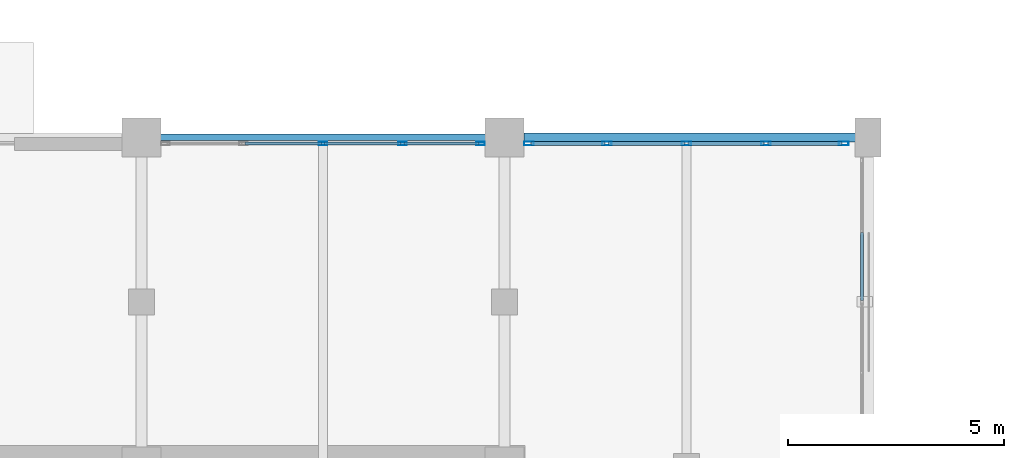
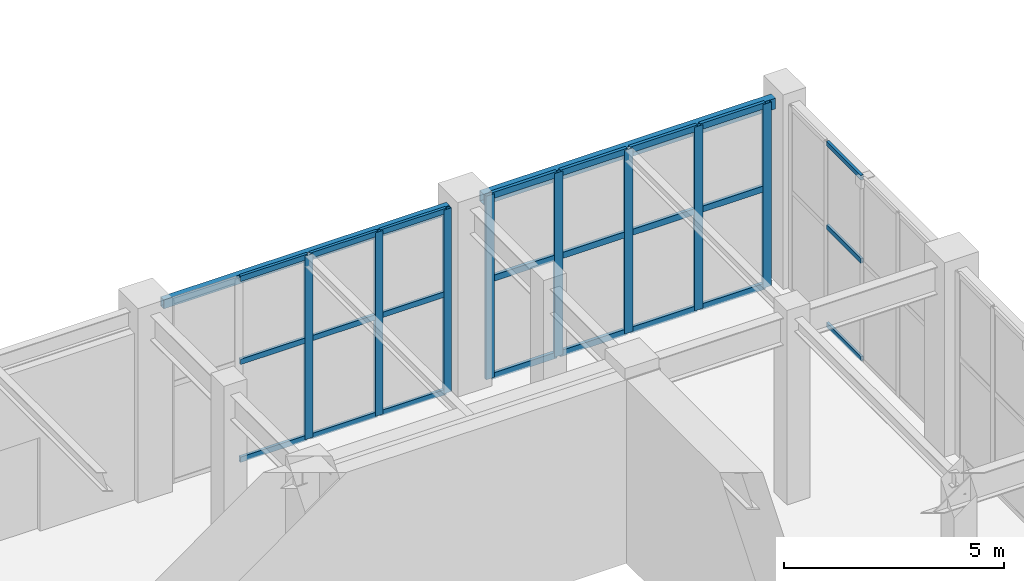
# One storey, part 69 of 139: 32 members, 2 beams, 3 elements without a shape of their own.
"""IFC4 building model written with IfcOpenShell, lengths in metres."""

from ifc_helpers import new_model, si_unit, direction, frame, origin, origin_2d, place, context, subcontext, project, spatial, hollow_rectangle, extrude, material, layer, layer_set, material_profile, profile_set, type_object, element, aggregate, save


model = new_model("IFC4")

# Units and contexts
model_context = context("Model", 3, precision=1e-05, world=origin(), true_north=direction((0.0, 1.0)))
body_context = subcontext(model_context, "Body", "Model", "MODEL_VIEW")
ifc_project = project(units=[si_unit("LENGTHUNIT", "METRE"), si_unit("AREAUNIT", "SQUARE_METRE"), si_unit("VOLUMEUNIT", "CUBIC_METRE"), si_unit("PLANEANGLEUNIT", "RADIAN"), si_unit("MASSUNIT", "GRAM", prefix="KILO")], contexts=[model_context])

# Site, building, storey
site_placement = place(None, origin())
site = spatial("IfcSite", under=ifc_project, at=site_placement, CompositionType="ELEMENT")
building_placement = place(site_placement, origin())
building = spatial("IfcBuilding", under=site, at=building_placement, Name="Xicomal Pleat Aquarium", CompositionType="ELEMENT")
storey_placement = place(building_placement, origin())
storey = spatial("IfcBuildingStorey", under=building, at=storey_placement, Name="L01", CompositionType="ELEMENT", Elevation=0.0)

# Beams
ifc_material_1 = material(Name="Structural steel A500 Gr C", Category="steel")
ifc_material_profile_1 = material_profile(ifc_material_1, hollow_rectangle(XDim=0.14990234375, YDim=0.25, WallThickness=0.010009765625, at=origin_2d()), Name="OR 250x150x10")
ifc_profile_set_1 = profile_set([ifc_material_profile_1], Name="Structural steel A500 Gr C")
beam_type_1 = type_object("IfcBeamType", Name="BM-STL-OR250", PredefinedType="SPANDREL", material=ifc_profile_set_1)
beam_1_placement = place(storey_placement, frame((77.844970703125, 83.60009765625, 4.97509765625), z_axis=(1.0, 0.0, 0.0), x_axis=(0.0, 1.0, 0.0)))
element("IfcBeam", 1, at=beam_1_placement, inside=storey, type_object=beam_type_1, Name="L01 framing beam FGX-L01-10-11-M", PredefinedType="SPANDREL", context=body_context, shape_type="SweptSolid", body=[
    extrude(hollow_rectangle(XDim=0.14990234375, YDim=0.25, WallThickness=0.010009765625, at=origin_2d()), origin(), (0.0, 0.0, 1.0), 7.510009765625),
])
ifc_material_2 = material(Name="Structural steel A500 Gr C", Category="steel")
ifc_material_profile_2 = material_profile(ifc_material_2, hollow_rectangle(XDim=0.199951171875, YDim=0.300048828125, WallThickness=0.011962890625, at=origin_2d()), Name="OR 300x200x12")
ifc_profile_set_2 = profile_set([ifc_material_profile_2], Name="Structural steel A500 Gr C")
beam_type_2 = type_object("IfcBeamType", Name="BM-STL-OR300", PredefinedType="SPANDREL", material=ifc_profile_set_2)
beam_2_placement = place(storey_placement, frame((86.2451171875, 83.60009765625, 4.949951171875), z_axis=(1.0, 0.0, 0.0), x_axis=(0.0, 1.0, 0.0)))
element("IfcBeam", 2, at=beam_2_placement, inside=storey, type_object=beam_type_2, Name="L01 framing beam FGX-L01-11-12-M", PredefinedType="SPANDREL", context=body_context, shape_type="SweptSolid", body=[
    extrude(hollow_rectangle(XDim=0.199951171875, YDim=0.300048828125, WallThickness=0.011962890625, at=origin_2d()), origin(), (0.0, 0.0, 1.0), 7.659912109375),
])

# Curtain wall, members
ifc_material_3 = material(Name="Bronze anodized aluminium 6063-T6", Category="aluminium")
ifc_layer_1 = layer(ifc_material_3, 0.159912109375)
ifc_layer_set_1 = layer_set([ifc_layer_1], Name="Bronze anodized aluminium 6063-T6")
curtain_wall_type_1 = type_object("IfcCurtainWallType", Name="CW-SYS-06", PredefinedType="NOTDEFINED", material=ifc_layer_set_1)
curtain_wall_1_placement = place(storey_placement, origin())
curtain_wall_1 = element("IfcCurtainWall", 3, at=curtain_wall_1_placement, inside=storey, type_object=curtain_wall_type_1, Name="L01 unitised curtain wall CW-L01-037", PredefinedType="NOTDEFINED")
ifc_material_4 = material(Name="Bronze anodized aluminium 6063-T6", Category="aluminium")
ifc_material_profile_3 = material_profile(ifc_material_4, hollow_rectangle(XDim=0.074951171875, YDim=0.199951171875, WallThickness=0.00439453125, at=origin_2d()), Name="ALU MULL 75x200")
ifc_profile_set_3 = profile_set([ifc_material_profile_3], Name="Bronze anodized aluminium 6063-T6")
member_type_1 = type_object("IfcMemberType", Name="CWM-75x200", PredefinedType="MULLION", material=ifc_profile_set_3)
member_1_placement = place(storey_placement, frame((81.60009765625, 83.4599609375, 0.0), z_axis=(0.0, 0.0, 1.0), x_axis=(0.0, 1.0, 0.0)))
member_1 = element("IfcMember", 4, at=member_1_placement, type_object=member_type_1, Name="CW-06 mullion 3", PredefinedType="MULLION", context=body_context, shape_type="SweptSolid", body=[
    extrude(hollow_rectangle(XDim=0.074951171875, YDim=0.199951171875, WallThickness=0.00439453125, at=origin_2d()), origin(), (0.0, 0.0, 1.0), 5.10009765625),
])
member_2_placement = place(storey_placement, frame((83.43994140625, 83.4599609375, 0.0), z_axis=(0.0, 0.0, 1.0), x_axis=(0.0, 1.0, 0.0)))
member_2 = element("IfcMember", 5, at=member_2_placement, type_object=member_type_1, Name="CW-06 mullion 4", PredefinedType="MULLION", context=body_context, shape_type="SweptSolid", body=[
    extrude(hollow_rectangle(XDim=0.074951171875, YDim=0.199951171875, WallThickness=0.00439453125, at=origin_2d()), origin(), (0.0, 0.0, 1.0), 5.10009765625),
])
member_3_placement = place(storey_placement, frame((85.242431640625, 83.4599609375, 0.0), z_axis=(0.0, 0.0, 1.0), x_axis=(0.0, 1.0, 0.0)))
member_3 = element("IfcMember", 6, at=member_3_placement, type_object=member_type_1, Name="CW-06 mullion 5", PredefinedType="MULLION", context=body_context, shape_type="SweptSolid", body=[
    extrude(hollow_rectangle(XDim=0.074951171875, YDim=0.199951171875, WallThickness=0.00439453125, at=origin_2d()), origin(), (0.0, 0.0, 1.0), 5.10009765625),
])

ifc_material_5 = material(Name="Bronze anodized aluminium 6063-T6", Category="aluminium")
ifc_layer_2 = layer(ifc_material_5, 0.159912109375)
ifc_layer_set_2 = layer_set([ifc_layer_2], Name="Bronze anodized aluminium 6063-T6")
curtain_wall_type_2 = type_object("IfcCurtainWallType", Name="CW-SYS-11", PredefinedType="NOTDEFINED", material=ifc_layer_set_2)
curtain_wall_2_placement = place(storey_placement, origin())
curtain_wall_2 = element("IfcCurtainWall", 7, at=curtain_wall_2_placement, inside=storey, type_object=curtain_wall_type_2, Name="L01 unitised curtain wall CW-L01-038", PredefinedType="NOTDEFINED")
ifc_material_6 = material(Name="Bronze anodized aluminium 6063-T6", Category="aluminium")
ifc_material_profile_4 = material_profile(ifc_material_6, hollow_rectangle(XDim=0.0849609375, YDim=0.219970703125, WallThickness=0.0048828125, at=origin_2d()), Name="ALU MULL 85x220")
ifc_profile_set_4 = profile_set([ifc_material_profile_4], Name="Bronze anodized aluminium 6063-T6")
member_type_2 = type_object("IfcMemberType", Name="CWM-85x220", PredefinedType="MULLION", material=ifc_profile_set_4)
member_4_placement = place(storey_placement, frame((86.362548828125, 83.4599609375, 0.0), z_axis=(0.0, 0.0, 1.0), x_axis=(0.0, 1.0, 0.0)))
member_4 = element("IfcMember", 8, at=member_4_placement, type_object=member_type_2, Name="CW-11 mullion 1", PredefinedType="MULLION", context=body_context, shape_type="SweptSolid", body=[
    extrude(hollow_rectangle(XDim=0.0849609375, YDim=0.219970703125, WallThickness=0.0048828125, at=origin_2d()), origin(), (0.0, 0.0, 1.0), 5.10009765625),
])
member_5_placement = place(storey_placement, frame((88.159912109375, 83.4599609375, 0.0), z_axis=(0.0, 0.0, 1.0), x_axis=(0.0, 1.0, 0.0)))
member_5 = element("IfcMember", 9, at=member_5_placement, type_object=member_type_2, Name="CW-11 mullion 2", PredefinedType="MULLION", context=body_context, shape_type="SweptSolid", body=[
    extrude(hollow_rectangle(XDim=0.0849609375, YDim=0.219970703125, WallThickness=0.0048828125, at=origin_2d()), origin(), (0.0, 0.0, 1.0), 5.10009765625),
])
member_6_placement = place(storey_placement, frame((90.0, 83.4599609375, 0.0), z_axis=(0.0, 0.0, 1.0), x_axis=(0.0, 1.0, 0.0)))
member_6 = element("IfcMember", 10, at=member_6_placement, type_object=member_type_2, Name="CW-11 mullion 3", PredefinedType="MULLION", context=body_context, shape_type="SweptSolid", body=[
    extrude(hollow_rectangle(XDim=0.0849609375, YDim=0.219970703125, WallThickness=0.0048828125, at=origin_2d()), origin(), (0.0, 0.0, 1.0), 5.10009765625),
])
member_7_placement = place(storey_placement, frame((91.840087890625, 83.4599609375, 0.0), z_axis=(0.0, 0.0, 1.0), x_axis=(0.0, 1.0, 0.0)))
member_7 = element("IfcMember", 11, at=member_7_placement, type_object=member_type_2, Name="CW-11 mullion 4", PredefinedType="MULLION", context=body_context, shape_type="SweptSolid", body=[
    extrude(hollow_rectangle(XDim=0.0849609375, YDim=0.219970703125, WallThickness=0.0048828125, at=origin_2d()), origin(), (0.0, 0.0, 1.0), 5.10009765625),
])
member_8_placement = place(storey_placement, frame((93.637451171875, 83.4599609375, 0.0), z_axis=(0.0, 0.0, 1.0), x_axis=(0.0, 1.0, 0.0)))
member_8 = element("IfcMember", 12, at=member_8_placement, type_object=member_type_2, Name="CW-11 mullion 5", PredefinedType="MULLION", context=body_context, shape_type="SweptSolid", body=[
    extrude(hollow_rectangle(XDim=0.0849609375, YDim=0.219970703125, WallThickness=0.0048828125, at=origin_2d()), origin(), (0.0, 0.0, 1.0), 5.10009765625),
])

ifc_material_7 = material(Name="Bronze anodized aluminium 6063-T6", Category="aluminium")
ifc_layer_3 = layer(ifc_material_7, 0.159912109375)
ifc_layer_set_3 = layer_set([ifc_layer_3], Name="Bronze anodized aluminium 6063-T6")
curtain_wall_type_3 = type_object("IfcCurtainWallType", Name="CW-SYS-01", PredefinedType="NOTDEFINED", material=ifc_layer_set_3)
curtain_wall_3_placement = place(storey_placement, origin())
curtain_wall_3 = element("IfcCurtainWall", 13, at=curtain_wall_3_placement, inside=storey, type_object=curtain_wall_type_3, Name="L01 unitised curtain wall CW-L01-039", PredefinedType="NOTDEFINED")
ifc_material_8 = material(Name="Bronze anodized aluminium 6063-T6", Category="aluminium")
ifc_material_profile_5 = material_profile(ifc_material_8, hollow_rectangle(XDim=0.06494140625, YDim=0.1298828125, WallThickness=0.00390625, at=origin_2d()), Name="ALU TRAN 65x130")
ifc_profile_set_5 = profile_set([ifc_material_profile_5], Name="Bronze anodized aluminium 6063-T6")
member_type_3 = type_object("IfcMemberType", Name="CWT-65x130", PredefinedType="USERDEFINED", material=ifc_profile_set_5)
member_9_placement = place(storey_placement, frame((94.06005859375, 81.407470703125, 0.032470703125), z_axis=(0.0, -1.0, 0.0), x_axis=(1.0, 0.0, 0.0)))
member_9 = element("IfcMember", 14, at=member_9_placement, type_object=member_type_3, Name="CW-01 transom 2.1", ObjectType="TRANSOM", PredefinedType="USERDEFINED", context=body_context, shape_type="SweptSolid", body=[
    extrude(hollow_rectangle(XDim=0.06494140625, YDim=0.1298828125, WallThickness=0.00390625, at=origin_2d()), origin(), (0.0, 0.0, 1.0), 1.574951171875),
])
member_10_placement = place(storey_placement, frame((94.06005859375, 81.407470703125, 2.75390625), z_axis=(0.0, -1.0, 0.0), x_axis=(1.0, 0.0, 0.0)))
member_10 = element("IfcMember", 15, at=member_10_placement, type_object=member_type_3, Name="CW-01 transom 2.2", ObjectType="TRANSOM", PredefinedType="USERDEFINED", context=body_context, shape_type="SweptSolid", body=[
    extrude(hollow_rectangle(XDim=0.06494140625, YDim=0.1298828125, WallThickness=0.00390625, at=origin_2d()), origin(), (0.0, 0.0, 1.0), 1.574951171875),
])
member_11_placement = place(storey_placement, frame((94.06005859375, 81.407470703125, 5.0673828125), z_axis=(0.0, -1.0, 0.0), x_axis=(1.0, 0.0, 0.0)))
member_11 = element("IfcMember", 16, at=member_11_placement, type_object=member_type_3, Name="CW-01 transom 2.3", ObjectType="TRANSOM", PredefinedType="USERDEFINED", context=body_context, shape_type="SweptSolid", body=[
    extrude(hollow_rectangle(XDim=0.06494140625, YDim=0.1298828125, WallThickness=0.00390625, at=origin_2d()), origin(), (0.0, 0.0, 1.0), 1.574951171875),
])
aggregate(curtain_wall_3, [member_9, member_10, member_11])

# Member
ifc_material_9 = material(Name="Bronze anodized aluminium 6063-T6", Category="aluminium")
ifc_material_profile_6 = material_profile(ifc_material_9, hollow_rectangle(XDim=0.074951171875, YDim=0.14990234375, WallThickness=0.00439453125, at=origin_2d()), Name="ALU TRAN 75x150")
ifc_profile_set_6 = profile_set([ifc_material_profile_6], Name="Bronze anodized aluminium 6063-T6")
member_type_4 = type_object("IfcMemberType", Name="CWT-75x150", PredefinedType="USERDEFINED", material=ifc_profile_set_6)
member_12_placement = place(storey_placement, frame((79.797607421875, 83.4599609375, 0.03759765625), z_axis=(1.0, 0.0, 0.0), x_axis=(0.0, 1.0, 0.0)))
member_12 = element("IfcMember", 17, at=member_12_placement, type_object=member_type_4, Name="CW-06 transom 2.1", ObjectType="TRANSOM", PredefinedType="USERDEFINED", context=body_context, shape_type="SweptSolid", body=[
    extrude(hollow_rectangle(XDim=0.074951171875, YDim=0.14990234375, WallThickness=0.00439453125, at=origin_2d()), origin(), (0.0, 0.0, 1.0), 1.764892578125),
])

member_13_placement = place(storey_placement, frame((79.797607421875, 83.4599609375, 2.75390625), z_axis=(1.0, 0.0, 0.0), x_axis=(0.0, 1.0, 0.0)))
member_13 = element("IfcMember", 18, at=member_13_placement, type_object=member_type_4, Name="CW-06 transom 2.2", ObjectType="TRANSOM", PredefinedType="USERDEFINED", context=body_context, shape_type="SweptSolid", body=[
    extrude(hollow_rectangle(XDim=0.074951171875, YDim=0.14990234375, WallThickness=0.00439453125, at=origin_2d()), origin(), (0.0, 0.0, 1.0), 1.764892578125),
])

member_14_placement = place(storey_placement, frame((79.797607421875, 83.4599609375, 5.0625), z_axis=(1.0, 0.0, 0.0), x_axis=(0.0, 1.0, 0.0)))
member_14 = element("IfcMember", 19, at=member_14_placement, type_object=member_type_4, Name="CW-06 transom 2.3", ObjectType="TRANSOM", PredefinedType="USERDEFINED", context=body_context, shape_type="SweptSolid", body=[
    extrude(hollow_rectangle(XDim=0.074951171875, YDim=0.14990234375, WallThickness=0.00439453125, at=origin_2d()), origin(), (0.0, 0.0, 1.0), 1.764892578125),
])

member_15_placement = place(storey_placement, frame((81.637451171875, 83.4599609375, 0.03759765625), z_axis=(1.0, 0.0, 0.0), x_axis=(0.0, 1.0, 0.0)))
member_15 = element("IfcMember", 20, at=member_15_placement, type_object=member_type_4, Name="CW-06 transom 3.1", ObjectType="TRANSOM", PredefinedType="USERDEFINED", context=body_context, shape_type="SweptSolid", body=[
    extrude(hollow_rectangle(XDim=0.074951171875, YDim=0.14990234375, WallThickness=0.00439453125, at=origin_2d()), origin(), (0.0, 0.0, 1.0), 1.76513671875),
])

member_16_placement = place(storey_placement, frame((81.637451171875, 83.4599609375, 2.75390625), z_axis=(1.0, 0.0, 0.0), x_axis=(0.0, 1.0, 0.0)))
member_16 = element("IfcMember", 21, at=member_16_placement, type_object=member_type_4, Name="CW-06 transom 3.2", ObjectType="TRANSOM", PredefinedType="USERDEFINED", context=body_context, shape_type="SweptSolid", body=[
    extrude(hollow_rectangle(XDim=0.074951171875, YDim=0.14990234375, WallThickness=0.00439453125, at=origin_2d()), origin(), (0.0, 0.0, 1.0), 1.76513671875),
])

member_17_placement = place(storey_placement, frame((81.637451171875, 83.4599609375, 5.0625), z_axis=(1.0, 0.0, 0.0), x_axis=(0.0, 1.0, 0.0)))
member_17 = element("IfcMember", 22, at=member_17_placement, type_object=member_type_4, Name="CW-06 transom 3.3", ObjectType="TRANSOM", PredefinedType="USERDEFINED", context=body_context, shape_type="SweptSolid", body=[
    extrude(hollow_rectangle(XDim=0.074951171875, YDim=0.14990234375, WallThickness=0.00439453125, at=origin_2d()), origin(), (0.0, 0.0, 1.0), 1.76513671875),
])

member_18_placement = place(storey_placement, frame((83.4775390625, 83.4599609375, 0.03759765625), z_axis=(1.0, 0.0, 0.0), x_axis=(0.0, 1.0, 0.0)))
member_18 = element("IfcMember", 23, at=member_18_placement, type_object=member_type_4, Name="CW-06 transom 4.1", ObjectType="TRANSOM", PredefinedType="USERDEFINED", context=body_context, shape_type="SweptSolid", body=[
    extrude(hollow_rectangle(XDim=0.074951171875, YDim=0.14990234375, WallThickness=0.00439453125, at=origin_2d()), origin(), (0.0, 0.0, 1.0), 1.7275390625),
])

member_19_placement = place(storey_placement, frame((83.4775390625, 83.4599609375, 2.75390625), z_axis=(1.0, 0.0, 0.0), x_axis=(0.0, 1.0, 0.0)))
member_19 = element("IfcMember", 24, at=member_19_placement, type_object=member_type_4, Name="CW-06 transom 4.2", ObjectType="TRANSOM", PredefinedType="USERDEFINED", context=body_context, shape_type="SweptSolid", body=[
    extrude(hollow_rectangle(XDim=0.074951171875, YDim=0.14990234375, WallThickness=0.00439453125, at=origin_2d()), origin(), (0.0, 0.0, 1.0), 1.7275390625),
])

member_20_placement = place(storey_placement, frame((83.4775390625, 83.4599609375, 5.0625), z_axis=(1.0, 0.0, 0.0), x_axis=(0.0, 1.0, 0.0)))
member_20 = element("IfcMember", 25, at=member_20_placement, type_object=member_type_4, Name="CW-06 transom 4.3", ObjectType="TRANSOM", PredefinedType="USERDEFINED", context=body_context, shape_type="SweptSolid", body=[
    extrude(hollow_rectangle(XDim=0.074951171875, YDim=0.14990234375, WallThickness=0.00439453125, at=origin_2d()), origin(), (0.0, 0.0, 1.0), 1.7275390625),
])

aggregate(curtain_wall_1, [member_1, member_2, member_3, member_12, member_13, member_14, member_15, member_16, member_17, member_18, member_19, member_20])

ifc_material_10 = material(Name="Bronze anodized aluminium 6063-T6", Category="aluminium")
ifc_material_profile_7 = material_profile(ifc_material_10, hollow_rectangle(XDim=0.0849609375, YDim=0.169921875, WallThickness=0.0048828125, at=origin_2d()), Name="ALU TRAN 85x170")
ifc_profile_set_7 = profile_set([ifc_material_profile_7], Name="Bronze anodized aluminium 6063-T6")
member_type_5 = type_object("IfcMemberType", Name="CWT-85x170", PredefinedType="USERDEFINED", material=ifc_profile_set_7)
member_21_placement = place(storey_placement, frame((86.405029296875, 83.4599609375, 0.04248046875), z_axis=(1.0, 0.0, 0.0), x_axis=(0.0, 1.0, 0.0)))
member_21 = element("IfcMember", 26, at=member_21_placement, type_object=member_type_5, Name="CW-11 transom 1.1", ObjectType="TRANSOM", PredefinedType="USERDEFINED", context=body_context, shape_type="SweptSolid", body=[
    extrude(hollow_rectangle(XDim=0.0849609375, YDim=0.169921875, WallThickness=0.0048828125, at=origin_2d()), origin(), (0.0, 0.0, 1.0), 1.71240234375),
])

member_22_placement = place(storey_placement, frame((86.405029296875, 83.4599609375, 2.75390625), z_axis=(1.0, 0.0, 0.0), x_axis=(0.0, 1.0, 0.0)))
member_22 = element("IfcMember", 27, at=member_22_placement, type_object=member_type_5, Name="CW-11 transom 1.2", ObjectType="TRANSOM", PredefinedType="USERDEFINED", context=body_context, shape_type="SweptSolid", body=[
    extrude(hollow_rectangle(XDim=0.0849609375, YDim=0.169921875, WallThickness=0.0048828125, at=origin_2d()), origin(), (0.0, 0.0, 1.0), 1.71240234375),
])

member_23_placement = place(storey_placement, frame((86.405029296875, 83.4599609375, 5.0576171875), z_axis=(1.0, 0.0, 0.0), x_axis=(0.0, 1.0, 0.0)))
member_23 = element("IfcMember", 28, at=member_23_placement, type_object=member_type_5, Name="CW-11 transom 1.3", ObjectType="TRANSOM", PredefinedType="USERDEFINED", context=body_context, shape_type="SweptSolid", body=[
    extrude(hollow_rectangle(XDim=0.0849609375, YDim=0.169921875, WallThickness=0.0048828125, at=origin_2d()), origin(), (0.0, 0.0, 1.0), 1.71240234375),
])

member_24_placement = place(storey_placement, frame((88.202392578125, 83.4599609375, 0.04248046875), z_axis=(1.0, 0.0, 0.0), x_axis=(0.0, 1.0, 0.0)))
member_24 = element("IfcMember", 29, at=member_24_placement, type_object=member_type_5, Name="CW-11 transom 2.1", ObjectType="TRANSOM", PredefinedType="USERDEFINED", context=body_context, shape_type="SweptSolid", body=[
    extrude(hollow_rectangle(XDim=0.0849609375, YDim=0.169921875, WallThickness=0.0048828125, at=origin_2d()), origin(), (0.0, 0.0, 1.0), 1.755126953125),
])

member_25_placement = place(storey_placement, frame((88.202392578125, 83.4599609375, 2.75390625), z_axis=(1.0, 0.0, 0.0), x_axis=(0.0, 1.0, 0.0)))
member_25 = element("IfcMember", 30, at=member_25_placement, type_object=member_type_5, Name="CW-11 transom 2.2", ObjectType="TRANSOM", PredefinedType="USERDEFINED", context=body_context, shape_type="SweptSolid", body=[
    extrude(hollow_rectangle(XDim=0.0849609375, YDim=0.169921875, WallThickness=0.0048828125, at=origin_2d()), origin(), (0.0, 0.0, 1.0), 1.755126953125),
])

member_26_placement = place(storey_placement, frame((88.202392578125, 83.4599609375, 5.0576171875), z_axis=(1.0, 0.0, 0.0), x_axis=(0.0, 1.0, 0.0)))
member_26 = element("IfcMember", 31, at=member_26_placement, type_object=member_type_5, Name="CW-11 transom 2.3", ObjectType="TRANSOM", PredefinedType="USERDEFINED", context=body_context, shape_type="SweptSolid", body=[
    extrude(hollow_rectangle(XDim=0.0849609375, YDim=0.169921875, WallThickness=0.0048828125, at=origin_2d()), origin(), (0.0, 0.0, 1.0), 1.755126953125),
])

member_27_placement = place(storey_placement, frame((90.04248046875, 83.4599609375, 0.04248046875), z_axis=(1.0, 0.0, 0.0), x_axis=(0.0, 1.0, 0.0)))
member_27 = element("IfcMember", 32, at=member_27_placement, type_object=member_type_5, Name="CW-11 transom 3.1", ObjectType="TRANSOM", PredefinedType="USERDEFINED", context=body_context, shape_type="SweptSolid", body=[
    extrude(hollow_rectangle(XDim=0.0849609375, YDim=0.169921875, WallThickness=0.0048828125, at=origin_2d()), origin(), (0.0, 0.0, 1.0), 1.755126953125),
])

member_28_placement = place(storey_placement, frame((90.04248046875, 83.4599609375, 2.75390625), z_axis=(1.0, 0.0, 0.0), x_axis=(0.0, 1.0, 0.0)))
member_28 = element("IfcMember", 33, at=member_28_placement, type_object=member_type_5, Name="CW-11 transom 3.2", ObjectType="TRANSOM", PredefinedType="USERDEFINED", context=body_context, shape_type="SweptSolid", body=[
    extrude(hollow_rectangle(XDim=0.0849609375, YDim=0.169921875, WallThickness=0.0048828125, at=origin_2d()), origin(), (0.0, 0.0, 1.0), 1.755126953125),
])

member_29_placement = place(storey_placement, frame((90.04248046875, 83.4599609375, 5.0576171875), z_axis=(1.0, 0.0, 0.0), x_axis=(0.0, 1.0, 0.0)))
member_29 = element("IfcMember", 34, at=member_29_placement, type_object=member_type_5, Name="CW-11 transom 3.3", ObjectType="TRANSOM", PredefinedType="USERDEFINED", context=body_context, shape_type="SweptSolid", body=[
    extrude(hollow_rectangle(XDim=0.0849609375, YDim=0.169921875, WallThickness=0.0048828125, at=origin_2d()), origin(), (0.0, 0.0, 1.0), 1.755126953125),
])

member_30_placement = place(storey_placement, frame((91.882568359375, 83.4599609375, 0.04248046875), z_axis=(1.0, 0.0, 0.0), x_axis=(0.0, 1.0, 0.0)))
member_30 = element("IfcMember", 35, at=member_30_placement, type_object=member_type_5, Name="CW-11 transom 4.1", ObjectType="TRANSOM", PredefinedType="USERDEFINED", context=body_context, shape_type="SweptSolid", body=[
    extrude(hollow_rectangle(XDim=0.0849609375, YDim=0.169921875, WallThickness=0.0048828125, at=origin_2d()), origin(), (0.0, 0.0, 1.0), 1.71240234375),
])

member_31_placement = place(storey_placement, frame((91.882568359375, 83.4599609375, 2.75390625), z_axis=(1.0, 0.0, 0.0), x_axis=(0.0, 1.0, 0.0)))
member_31 = element("IfcMember", 36, at=member_31_placement, type_object=member_type_5, Name="CW-11 transom 4.2", ObjectType="TRANSOM", PredefinedType="USERDEFINED", context=body_context, shape_type="SweptSolid", body=[
    extrude(hollow_rectangle(XDim=0.0849609375, YDim=0.169921875, WallThickness=0.0048828125, at=origin_2d()), origin(), (0.0, 0.0, 1.0), 1.71240234375),
])

member_32_placement = place(storey_placement, frame((91.882568359375, 83.4599609375, 5.0576171875), z_axis=(1.0, 0.0, 0.0), x_axis=(0.0, 1.0, 0.0)))
member_32 = element("IfcMember", 37, at=member_32_placement, type_object=member_type_5, Name="CW-11 transom 4.3", ObjectType="TRANSOM", PredefinedType="USERDEFINED", context=body_context, shape_type="SweptSolid", body=[
    extrude(hollow_rectangle(XDim=0.0849609375, YDim=0.169921875, WallThickness=0.0048828125, at=origin_2d()), origin(), (0.0, 0.0, 1.0), 1.71240234375),
])

aggregate(curtain_wall_2, [member_4, member_5, member_6, member_7, member_8, member_21, member_22, member_23, member_24, member_25, member_26, member_27, member_28, member_29, member_30, member_31, member_32])

save(model, "model.ifc")
